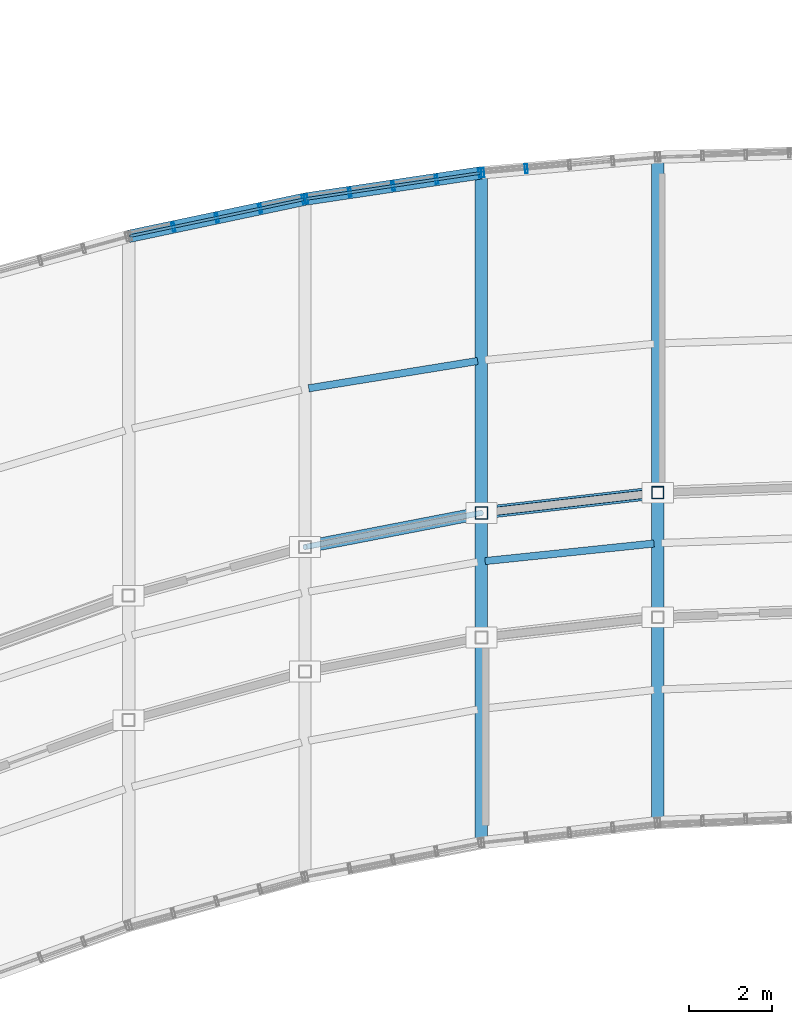
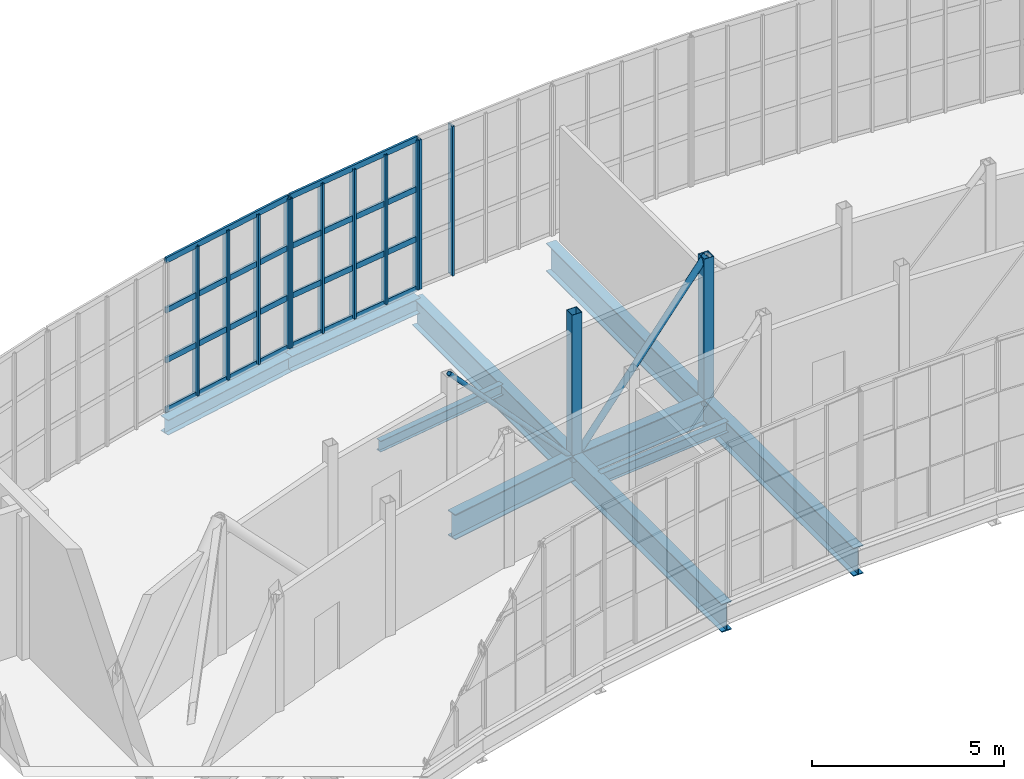
# One storey, part 43 of 86: 23 members, 8 beams, 3 elements without a shape of their own.
"""IFC4 building model written with IfcOpenShell, lengths in metres."""

from ifc_helpers import new_model, si_unit, direction, frame, origin, origin_2d, place, context, subcontext, project, spatial, hollow_rectangle, hollow_circle, i_section, extrude, material, material_profile, profile_set, type_object, element, aggregate, save


model = new_model("IFC4")

# Units and contexts
model_context = context("Model", 3, precision=1e-05, world=origin(), true_north=direction((0.0, 1.0)))
body_context = subcontext(model_context, "Body", "Model", "MODEL_VIEW")
ifc_project = project(units=[si_unit("LENGTHUNIT", "METRE"), si_unit("AREAUNIT", "SQUARE_METRE"), si_unit("VOLUMEUNIT", "CUBIC_METRE"), si_unit("PLANEANGLEUNIT", "RADIAN"), si_unit("MASSUNIT", "GRAM", prefix="KILO")], contexts=[model_context])

# Site, building, storey
site_placement = place(None, origin())
site = spatial("IfcSite", under=ifc_project, at=site_placement, CompositionType="ELEMENT")
building_placement = place(site_placement, origin())
building = spatial("IfcBuilding", under=site, at=building_placement, Name="Solvikara Media Centre", CompositionType="ELEMENT")
storey_placement = place(building_placement, frame((0.0, 0.0, 15.0)))
storey = spatial("IfcBuildingStorey", under=building, at=storey_placement, Name="L03", CompositionType="ELEMENT", Elevation=15.0)

# Beams
ifc_material_1 = material(Name="Steel S355JR", Category="steel")
ifc_material_profile_1 = material_profile(ifc_material_1, i_section(OverallWidth=0.300048828125, OverallDepth=0.89990234375, WebThickness=0.01611328125, FlangeThickness=0.028076171875, at=origin_2d()), Name="WF 900x300x16x28")
ifc_profile_set_1 = profile_set([ifc_material_profile_1], Name="Steel S355JR")
beam_type_1 = type_object("IfcBeamType", Name="BM-15", PredefinedType="BEAM", material=ifc_profile_set_1)
beam_1_placement = place(storey_placement, frame((93.5, 24.818115234375, -0.672119140625), z_axis=(0.0, 1.0, 0.0), x_axis=(-1.0, 0.0, 0.0)))
element("IfcBeam", 1, at=beam_1_placement, inside=storey, type_object=beam_type_1, Name="BG-L03-NS-04", PredefinedType="BEAM", context=body_context, shape_type="SweptSolid", body=[
    extrude(i_section(OverallWidth=0.300048828125, OverallDepth=0.89990234375, WebThickness=0.01611328125, FlangeThickness=0.028076171875, at=origin_2d()), origin(), (0.0, 0.0, 1.0), 16.14599609375),
])
beam_2_placement = place(storey_placement, frame((97.75, 25.304931640625, -0.672119140625), z_axis=(0.0, 1.0, 0.0), x_axis=(-1.0, 0.0, 0.0)))
element("IfcBeam", 2, at=beam_2_placement, inside=storey, type_object=beam_type_1, Name="BG-L03-NS-05", PredefinedType="BEAM", context=body_context, shape_type="SweptSolid", body=[
    extrude(i_section(OverallWidth=0.300048828125, OverallDepth=0.89990234375, WebThickness=0.01611328125, FlangeThickness=0.028076171875, at=origin_2d()), origin(), (0.0, 0.0, 1.0), 16.0361328125),
])
ifc_material_profile_2 = material_profile(ifc_material_1, i_section(OverallWidth=0.300048828125, OverallDepth=0.800048828125, WebThickness=0.013916015625, FlangeThickness=0.02587890625, at=origin_2d()), Name="WF 800x300x14x26")
ifc_profile_set_2 = profile_set([ifc_material_profile_2], Name="Steel S355JR")
beam_type_2 = type_object("IfcBeamType", Name="BM-16", PredefinedType="BEAM", material=ifc_profile_set_2)
beam_3_placement = place(storey_placement, frame((89.337890625, 31.962890625, -0.6220703125), z_axis=(0.981801087979, 0.189912147171, 0.0), x_axis=(-0.189912147171, 0.981801087979, 0.0)))
element("IfcBeam", 3, at=beam_3_placement, inside=storey, type_object=beam_type_2, Name="B-L03-SPNN-03", PredefinedType="BEAM", context=body_context, shape_type="SweptSolid", body=[
    extrude(i_section(OverallWidth=0.300048828125, OverallDepth=0.800048828125, WebThickness=0.013916015625, FlangeThickness=0.02587890625, at=origin_2d()), origin(), (0.0, 0.0, 1.0), 4.149658203125),
])
beam_4_placement = place(storey_placement, frame((93.589111328125, 32.778076171875, -0.6220703125), z_axis=(0.993485932274, 0.113954826025, 0.0), x_axis=(-0.113954826025, 0.993485932274, 0.0)))
element("IfcBeam", 4, at=beam_4_placement, inside=storey, type_object=beam_type_2, Name="B-L03-SPNN-04", PredefinedType="BEAM", context=body_context, shape_type="SweptSolid", body=[
    extrude(i_section(OverallWidth=0.300048828125, OverallDepth=0.800048828125, WebThickness=0.013916015625, FlangeThickness=0.02587890625, at=origin_2d()), origin(), (0.0, 0.0, 1.0), 4.098388671875),
])
ifc_material_profile_3 = material_profile(ifc_material_1, i_section(OverallWidth=0.175048828125, OverallDepth=0.35009765625, WebThickness=0.007080078125, FlangeThickness=0.010986328125, at=origin_2d()), Name="WF 350x175x7x11")
ifc_profile_set_3 = profile_set([ifc_material_profile_3], Name="Steel S355JR")
beam_type_3 = type_object("IfcBeamType", Name="BM-22", PredefinedType="JOIST", material=ifc_profile_set_3)
beam_5_placement = place(storey_placement, frame((89.339111328125, 35.77001953125, -0.39697265625), z_axis=(0.987157242896, 0.159751612818, 0.0), x_axis=(-0.159751612818, 0.987157242896, 0.0)))
element("IfcBeam", 5, at=beam_5_placement, inside=storey, type_object=beam_type_3, Name="BJ-L03-03-72", PredefinedType="JOIST", context=body_context, shape_type="SweptSolid", body=[
    extrude(i_section(OverallWidth=0.175048828125, OverallDepth=0.35009765625, WebThickness=0.007080078125, FlangeThickness=0.010986328125, at=origin_2d()), origin(), (0.0, 0.0, 1.0), 4.124755859375),
])
beam_6_placement = place(storey_placement, frame((93.590087890625, 31.60791015625, -0.39697265625), z_axis=(0.99463965164, 0.103401950587, 0.0), x_axis=(-0.103401950587, 0.99463965164, 0.0)))
element("IfcBeam", 6, at=beam_6_placement, inside=storey, type_object=beam_type_3, Name="BJ-L03-04-42", PredefinedType="JOIST", context=body_context, shape_type="SweptSolid", body=[
    extrude(i_section(OverallWidth=0.175048828125, OverallDepth=0.35009765625, WebThickness=0.007080078125, FlangeThickness=0.010986328125, at=origin_2d()), origin(), (0.0, 0.0, 1.0), 4.091796875),
])
ifc_material_profile_4 = material_profile(ifc_material_1, i_section(OverallWidth=0.300048828125, OverallDepth=0.48193359375, WebThickness=0.010986328125, FlangeThickness=0.014892578125, at=origin_2d()), Name="WF 482x300x11x15")
ifc_profile_set_4 = profile_set([ifc_material_profile_4], Name="Steel S355JR")
beam_type_4 = type_object("IfcBeamType", Name="BM-32", PredefinedType="SPANDREL", material=ifc_profile_set_4)
beam_7_placement = place(storey_placement, frame((85.0, 39.430908203125, -0.462890625), z_axis=(0.978389077526, 0.206772369957, 0.0), x_axis=(-0.206772369957, 0.978389077526, 0.0)))
element("IfcBeam", 7, at=beam_7_placement, inside=storey, type_object=beam_type_4, Name="B-L03-NARC-02", PredefinedType="SPANDREL", context=body_context, shape_type="SweptSolid", body=[
    extrude(i_section(OverallWidth=0.300048828125, OverallDepth=0.48193359375, WebThickness=0.010986328125, FlangeThickness=0.014892578125, at=origin_2d()), origin(), (0.0, 0.0, 1.0), 4.343994140625),
])
beam_8_placement = place(storey_placement, frame((89.25, 40.3291015625, -0.462890625), z_axis=(0.989021203369, 0.147773675894, 0.0), x_axis=(-0.147773675894, 0.989021203369, 0.0)))
element("IfcBeam", 8, at=beam_8_placement, inside=storey, type_object=beam_type_4, Name="B-L03-NARC-03", PredefinedType="SPANDREL", context=body_context, shape_type="SweptSolid", body=[
    extrude(i_section(OverallWidth=0.300048828125, OverallDepth=0.48193359375, WebThickness=0.010986328125, FlangeThickness=0.014892578125, at=origin_2d()), origin(), (0.0, 0.0, 1.0), 4.297119140625),
])

# Members
ifc_material_profile_5 = material_profile(ifc_material_1, hollow_circle(Radius=0.096923828125, WallThickness=0.008056640625, at=origin_2d()), Name="CHS 193.7x8")
ifc_profile_set_5 = profile_set([ifc_material_profile_5], Name="Steel S355JR")
member_type_1 = type_object("IfcMemberType", Name="MB-06", PredefinedType="BRACE", material=ifc_profile_set_5)
member_1_placement = place(storey_placement, frame((93.5, 32.76806640625, -0.449951171875), z_axis=(0.668739862993, 0.076600832193, 0.739539930059), x_axis=(-0.113800903571, 0.993503575407, 0.0)))
element("IfcMember", 9, at=member_1_placement, inside=storey, type_object=member_type_1, Name="WTR-L03-N-DA04", PredefinedType="BRACE", context=body_context, shape_type="SweptSolid", body=[
    extrude(hollow_circle(Radius=0.096923828125, WallThickness=0.008056640625, at=origin_2d()), origin(), (0.0, 0.0, 1.0), 6.355224609375),
])
ifc_material_profile_6 = material_profile(ifc_material_1, hollow_circle(Radius=0.06982421875, WallThickness=0.00634765625, at=origin_2d()), Name="CHS 139.7x6.3")
ifc_profile_set_6 = profile_set([ifc_material_profile_6], Name="Steel S355JR")
member_type_2 = type_object("IfcMemberType", Name="MB-08", PredefinedType="BRACE", material=ifc_profile_set_6)
member_2_placement = place(storey_placement, frame((89.25, 31.946044921875, 4.25), z_axis=(0.665137067971, 0.128648696453, -0.735555704016), x_axis=(-0.189897396029, 0.981803941213, 0.0)))
element("IfcMember", 10, at=member_2_placement, inside=storey, type_object=member_type_2, Name="WTR-L03-N-DB03", PredefinedType="BRACE", context=body_context, shape_type="SweptSolid", body=[
    extrude(hollow_circle(Radius=0.06982421875, WallThickness=0.00634765625, at=origin_2d()), origin(), (0.0, 0.0, 1.0), 6.3896484375),
])
ifc_material_profile_7 = material_profile(ifc_material_1, hollow_rectangle(XDim=0.300048828125, YDim=0.300048828125, WallThickness=0.012451171875, at=origin_2d()), Name="RHS 300x300x12.5")
ifc_profile_set_7 = profile_set([ifc_material_profile_7], Name="Steel S355JR")
member_type_3 = type_object("IfcMemberType", Name="MB-11", PredefinedType="CHORD", material=ifc_profile_set_7)
for number, where, z_axis, x_axis, name in (
    (11, (93.5, 32.76806640625, -0.449951171875), (0.0, 0.0, 1.0), (1.0, 0.0, 0.0), "WTR-L03-N-V04"),
    (12, (97.75, 33.2548828125, -0.449951171875), (0.0, 0.0, 1.0), (1.0, 0.0, 0.0), "WTR-L03-N-V05"),
):
    element("IfcMember", number, at=place(storey_placement, frame(where, z_axis=z_axis, x_axis=x_axis)), inside=storey, type_object=member_type_3, Name=name, PredefinedType="CHORD", context=body_context, shape_type="SweptSolid", body=[
        extrude(hollow_rectangle(XDim=0.300048828125, YDim=0.300048828125, WallThickness=0.012451171875, at=origin_2d()), origin(), (0.0, 0.0, 1.0), 4.699951171875),
    ])

# Curtain wall, members
ifc_material_2 = material(Name="Anodised aluminium EN AW-6063", Category="aluminium")
curtain_wall_type = type_object("IfcCurtainWallType", Name="CW-02", PredefinedType="NOTDEFINED", material=ifc_material_2)
curtain_wall_1_placement = place(storey_placement, origin())
curtain_wall_1 = element("IfcCurtainWall", 13, at=curtain_wall_1_placement, inside=storey, type_object=curtain_wall_type, Name="CW-L03-NARC-02", PredefinedType="NOTDEFINED")
ifc_material_profile_8 = material_profile(ifc_material_2, hollow_rectangle(XDim=0.06494140625, YDim=0.219970703125, WallThickness=0.00390625, at=origin_2d()), Name="ALU-M 65x220x4")
ifc_profile_set_8 = profile_set([ifc_material_profile_8], Name="Anodised aluminium EN AW-6063")
member_type_4 = type_object("IfcMemberType", Name="MF-01", PredefinedType="MULLION", material=ifc_profile_set_8)
member_3_placement = place(storey_placement, frame((86.080078125, 39.658935546875, 0.02001953125), z_axis=(0.0, 0.0, 1.0), x_axis=(0.97837923005, 0.206818959981, 0.0)))
member_3 = element("IfcMember", 14, at=member_3_placement, type_object=member_type_4, Name="CW-L03-NARC-02-M01", PredefinedType="MULLION", context=body_context, shape_type="SweptSolid", body=[
    extrude(hollow_rectangle(XDim=0.06494140625, YDim=0.219970703125, WallThickness=0.00390625, at=origin_2d()), origin(), (0.0, 0.0, 1.0), 4.760009765625),
])
member_4_placement = place(storey_placement, frame((87.125, 39.8798828125, 0.02001953125), z_axis=(0.0, 0.0, 1.0), x_axis=(0.97837923005, 0.206818959981, 0.0)))
member_4 = element("IfcMember", 15, at=member_4_placement, type_object=member_type_4, Name="CW-L03-NARC-02-M02", PredefinedType="MULLION", context=body_context, shape_type="SweptSolid", body=[
    extrude(hollow_rectangle(XDim=0.06494140625, YDim=0.219970703125, WallThickness=0.00390625, at=origin_2d()), origin(), (0.0, 0.0, 1.0), 4.760009765625),
])
member_5_placement = place(storey_placement, frame((88.1708984375, 40.10107421875, 0.02001953125), z_axis=(0.0, 0.0, 1.0), x_axis=(0.97837923005, 0.206818959981, 0.0)))
member_5 = element("IfcMember", 16, at=member_5_placement, type_object=member_type_4, Name="CW-L03-NARC-02-M03", PredefinedType="MULLION", context=body_context, shape_type="SweptSolid", body=[
    extrude(hollow_rectangle(XDim=0.06494140625, YDim=0.219970703125, WallThickness=0.00390625, at=origin_2d()), origin(), (0.0, 0.0, 1.0), 4.760009765625),
])
member_6_placement = place(storey_placement, frame((89.216064453125, 40.322021484375, 0.02001953125), z_axis=(0.0, 0.0, 1.0), x_axis=(0.97837923005, 0.206818959981, 0.0)))
member_6 = element("IfcMember", 17, at=member_6_placement, type_object=member_type_4, Name="CW-L03-NARC-02-M04", PredefinedType="MULLION", context=body_context, shape_type="SweptSolid", body=[
    extrude(hollow_rectangle(XDim=0.06494140625, YDim=0.219970703125, WallThickness=0.00390625, at=origin_2d()), origin(), (0.0, 0.0, 1.0), 4.760009765625),
])

curtain_wall_2_placement = place(storey_placement, origin())
curtain_wall_2 = element("IfcCurtainWall", 18, at=curtain_wall_2_placement, inside=storey, type_object=curtain_wall_type, Name="CW-L03-NARC-03", PredefinedType="NOTDEFINED")
member_7_placement = place(storey_placement, frame((89.284912109375, 40.333984375, 0.02001953125), z_axis=(0.0, 0.0, 1.0), x_axis=(0.989005541908, 0.147878457102, 0.0)))
member_7 = element("IfcMember", 19, at=member_7_placement, type_object=member_type_4, Name="CW-L03-NARC-03-M00", PredefinedType="MULLION", context=body_context, shape_type="SweptSolid", body=[
    extrude(hollow_rectangle(XDim=0.06494140625, YDim=0.219970703125, WallThickness=0.00390625, at=origin_2d()), origin(), (0.0, 0.0, 1.0), 4.760009765625),
])
member_8_placement = place(storey_placement, frame((90.330078125, 40.489990234375, 0.02001953125), z_axis=(0.0, 0.0, 1.0), x_axis=(0.989005541908, 0.147878457102, 0.0)))
member_8 = element("IfcMember", 20, at=member_8_placement, type_object=member_type_4, Name="CW-L03-NARC-03-M01", PredefinedType="MULLION", context=body_context, shape_type="SweptSolid", body=[
    extrude(hollow_rectangle(XDim=0.06494140625, YDim=0.219970703125, WallThickness=0.00390625, at=origin_2d()), origin(), (0.0, 0.0, 1.0), 4.760009765625),
])
member_9_placement = place(storey_placement, frame((91.375, 40.64599609375, 0.02001953125), z_axis=(0.0, 0.0, 1.0), x_axis=(0.989005541908, 0.147878457102, 0.0)))
member_9 = element("IfcMember", 21, at=member_9_placement, type_object=member_type_4, Name="CW-L03-NARC-03-M02", PredefinedType="MULLION", context=body_context, shape_type="SweptSolid", body=[
    extrude(hollow_rectangle(XDim=0.06494140625, YDim=0.219970703125, WallThickness=0.00390625, at=origin_2d()), origin(), (0.0, 0.0, 1.0), 4.760009765625),
])
member_10_placement = place(storey_placement, frame((92.419921875, 40.802978515625, 0.02001953125), z_axis=(0.0, 0.0, 1.0), x_axis=(0.989005541908, 0.147878457102, 0.0)))
member_10 = element("IfcMember", 22, at=member_10_placement, type_object=member_type_4, Name="CW-L03-NARC-03-M03", PredefinedType="MULLION", context=body_context, shape_type="SweptSolid", body=[
    extrude(hollow_rectangle(XDim=0.06494140625, YDim=0.219970703125, WallThickness=0.00390625, at=origin_2d()), origin(), (0.0, 0.0, 1.0), 4.760009765625),
])
member_11_placement = place(storey_placement, frame((93.465087890625, 40.958984375, 0.02001953125), z_axis=(0.0, 0.0, 1.0), x_axis=(0.989005541908, 0.147878457102, 0.0)))
member_11 = element("IfcMember", 23, at=member_11_placement, type_object=member_type_4, Name="CW-L03-NARC-03-M04", PredefinedType="MULLION", context=body_context, shape_type="SweptSolid", body=[
    extrude(hollow_rectangle(XDim=0.06494140625, YDim=0.219970703125, WallThickness=0.00390625, at=origin_2d()), origin(), (0.0, 0.0, 1.0), 4.760009765625),
])

curtain_wall_3_placement = place(storey_placement, origin())
curtain_wall_3 = element("IfcCurtainWall", 24, at=curtain_wall_3_placement, inside=storey, type_object=curtain_wall_type, Name="CW-L03-NARC-04", PredefinedType="NOTDEFINED")
member_12_placement = place(storey_placement, frame((93.534912109375, 40.967041015625, 0.02001953125), z_axis=(0.0, 0.0, 1.0), x_axis=(0.99608438842, 0.088407528781, 0.0)))
member_12 = element("IfcMember", 25, at=member_12_placement, type_object=member_type_4, Name="CW-L03-NARC-04-M00", PredefinedType="MULLION", context=body_context, shape_type="SweptSolid", body=[
    extrude(hollow_rectangle(XDim=0.06494140625, YDim=0.219970703125, WallThickness=0.00390625, at=origin_2d()), origin(), (0.0, 0.0, 1.0), 4.760009765625),
])
member_13_placement = place(storey_placement, frame((94.580078125, 41.06005859375, 0.02001953125), z_axis=(0.0, 0.0, 1.0), x_axis=(0.99608438842, 0.088407528781, 0.0)))
member_13 = element("IfcMember", 26, at=member_13_placement, type_object=member_type_4, Name="CW-L03-NARC-04-M01", PredefinedType="MULLION", context=body_context, shape_type="SweptSolid", body=[
    extrude(hollow_rectangle(XDim=0.06494140625, YDim=0.219970703125, WallThickness=0.00390625, at=origin_2d()), origin(), (0.0, 0.0, 1.0), 4.760009765625),
])
aggregate(curtain_wall_3, [member_12, member_13])

# Member
ifc_material_profile_9 = material_profile(ifc_material_2, hollow_rectangle(XDim=0.06494140625, YDim=0.179931640625, WallThickness=0.00341796875, at=origin_2d()), Name="ALU-T 65x180x3.5")
ifc_profile_set_9 = profile_set([ifc_material_profile_9], Name="Anodised aluminium EN AW-6063")
member_type_5 = type_object("IfcMemberType", Name="MF-07", PredefinedType="USERDEFINED", material=ifc_profile_set_9)
member_14_placement = place(storey_placement, frame((85.033935546875, 39.43798828125, 0.02001953125), z_axis=(0.978380382842, 0.206813506496, 0.0), x_axis=(-0.206813506496, 0.978380382842, 0.0)))
member_14 = element("IfcMember", 27, at=member_14_placement, type_object=member_type_5, Name="CW-L03-NARC-02-T00", ObjectType="TRANSOM", PredefinedType="USERDEFINED", context=body_context, shape_type="SweptSolid", body=[
    extrude(hollow_rectangle(XDim=0.06494140625, YDim=0.179931640625, WallThickness=0.00341796875, at=origin_2d()), origin(), (0.0, 0.0, 1.0), 4.274658203125),
])

member_15_placement = place(storey_placement, frame((85.033935546875, 39.43798828125, 1.60693359375), z_axis=(0.978380382842, 0.206813506496, 0.0), x_axis=(-0.206813506496, 0.978380382842, 0.0)))
member_15 = element("IfcMember", 28, at=member_15_placement, type_object=member_type_5, Name="CW-L03-NARC-02-T01", ObjectType="TRANSOM", PredefinedType="USERDEFINED", context=body_context, shape_type="SweptSolid", body=[
    extrude(hollow_rectangle(XDim=0.06494140625, YDim=0.179931640625, WallThickness=0.00341796875, at=origin_2d()), origin(), (0.0, 0.0, 1.0), 4.274658203125),
])

member_16_placement = place(storey_placement, frame((85.033935546875, 39.43798828125, 3.193115234375), z_axis=(0.978380382842, 0.206813506496, 0.0), x_axis=(-0.206813506496, 0.978380382842, 0.0)))
member_16 = element("IfcMember", 29, at=member_16_placement, type_object=member_type_5, Name="CW-L03-NARC-02-T02", ObjectType="TRANSOM", PredefinedType="USERDEFINED", context=body_context, shape_type="SweptSolid", body=[
    extrude(hollow_rectangle(XDim=0.06494140625, YDim=0.179931640625, WallThickness=0.00341796875, at=origin_2d()), origin(), (0.0, 0.0, 1.0), 4.274658203125),
])

member_17_placement = place(storey_placement, frame((85.033935546875, 39.43798828125, 4.780029296875), z_axis=(0.978380382842, 0.206813506496, 0.0), x_axis=(-0.206813506496, 0.978380382842, 0.0)))
member_17 = element("IfcMember", 30, at=member_17_placement, type_object=member_type_5, Name="CW-L03-NARC-02-T03", ObjectType="TRANSOM", PredefinedType="USERDEFINED", context=body_context, shape_type="SweptSolid", body=[
    extrude(hollow_rectangle(XDim=0.06494140625, YDim=0.179931640625, WallThickness=0.00341796875, at=origin_2d()), origin(), (0.0, 0.0, 1.0), 4.274658203125),
])

aggregate(curtain_wall_1, [member_3, member_4, member_5, member_6, member_14, member_15, member_16, member_17])

member_18_placement = place(storey_placement, frame((89.284912109375, 40.333984375, 0.02001953125), z_axis=(0.989006573352, 0.147871558684, 0.0), x_axis=(-0.147871558684, 0.989006573352, 0.0)))
member_18 = element("IfcMember", 31, at=member_18_placement, type_object=member_type_5, Name="CW-L03-NARC-03-T00", ObjectType="TRANSOM", PredefinedType="USERDEFINED", context=body_context, shape_type="SweptSolid", body=[
    extrude(hollow_rectangle(XDim=0.06494140625, YDim=0.179931640625, WallThickness=0.00341796875, at=origin_2d()), origin(), (0.0, 0.0, 1.0), 4.2265625),
])

member_19_placement = place(storey_placement, frame((89.284912109375, 40.333984375, 1.60693359375), z_axis=(0.989006573352, 0.147871558684, 0.0), x_axis=(-0.147871558684, 0.989006573352, 0.0)))
member_19 = element("IfcMember", 32, at=member_19_placement, type_object=member_type_5, Name="CW-L03-NARC-03-T01", ObjectType="TRANSOM", PredefinedType="USERDEFINED", context=body_context, shape_type="SweptSolid", body=[
    extrude(hollow_rectangle(XDim=0.06494140625, YDim=0.179931640625, WallThickness=0.00341796875, at=origin_2d()), origin(), (0.0, 0.0, 1.0), 4.2265625),
])

member_20_placement = place(storey_placement, frame((89.284912109375, 40.333984375, 3.193115234375), z_axis=(0.989006573352, 0.147871558684, 0.0), x_axis=(-0.147871558684, 0.989006573352, 0.0)))
member_20 = element("IfcMember", 33, at=member_20_placement, type_object=member_type_5, Name="CW-L03-NARC-03-T02", ObjectType="TRANSOM", PredefinedType="USERDEFINED", context=body_context, shape_type="SweptSolid", body=[
    extrude(hollow_rectangle(XDim=0.06494140625, YDim=0.179931640625, WallThickness=0.00341796875, at=origin_2d()), origin(), (0.0, 0.0, 1.0), 4.2265625),
])

member_21_placement = place(storey_placement, frame((89.284912109375, 40.333984375, 4.780029296875), z_axis=(0.989006573352, 0.147871558684, 0.0), x_axis=(-0.147871558684, 0.989006573352, 0.0)))
member_21 = element("IfcMember", 34, at=member_21_placement, type_object=member_type_5, Name="CW-L03-NARC-03-T03", ObjectType="TRANSOM", PredefinedType="USERDEFINED", context=body_context, shape_type="SweptSolid", body=[
    extrude(hollow_rectangle(XDim=0.06494140625, YDim=0.179931640625, WallThickness=0.00341796875, at=origin_2d()), origin(), (0.0, 0.0, 1.0), 4.2265625),
])

aggregate(curtain_wall_2, [member_7, member_8, member_9, member_10, member_11, member_18, member_19, member_20, member_21])

save(model, "model.ifc")
